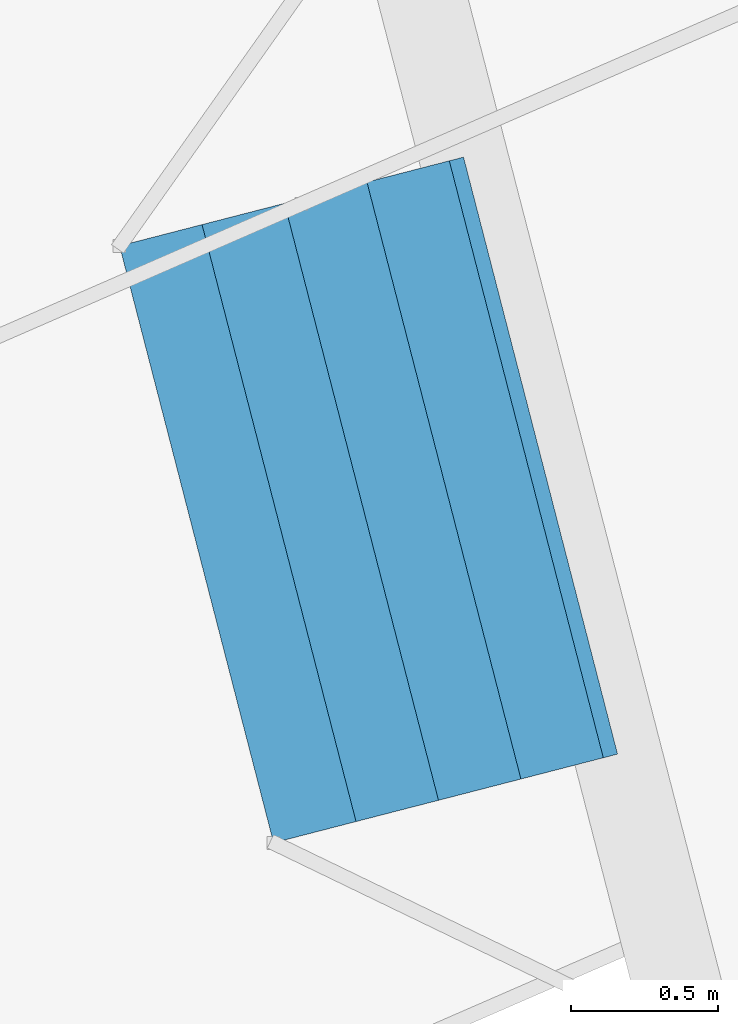
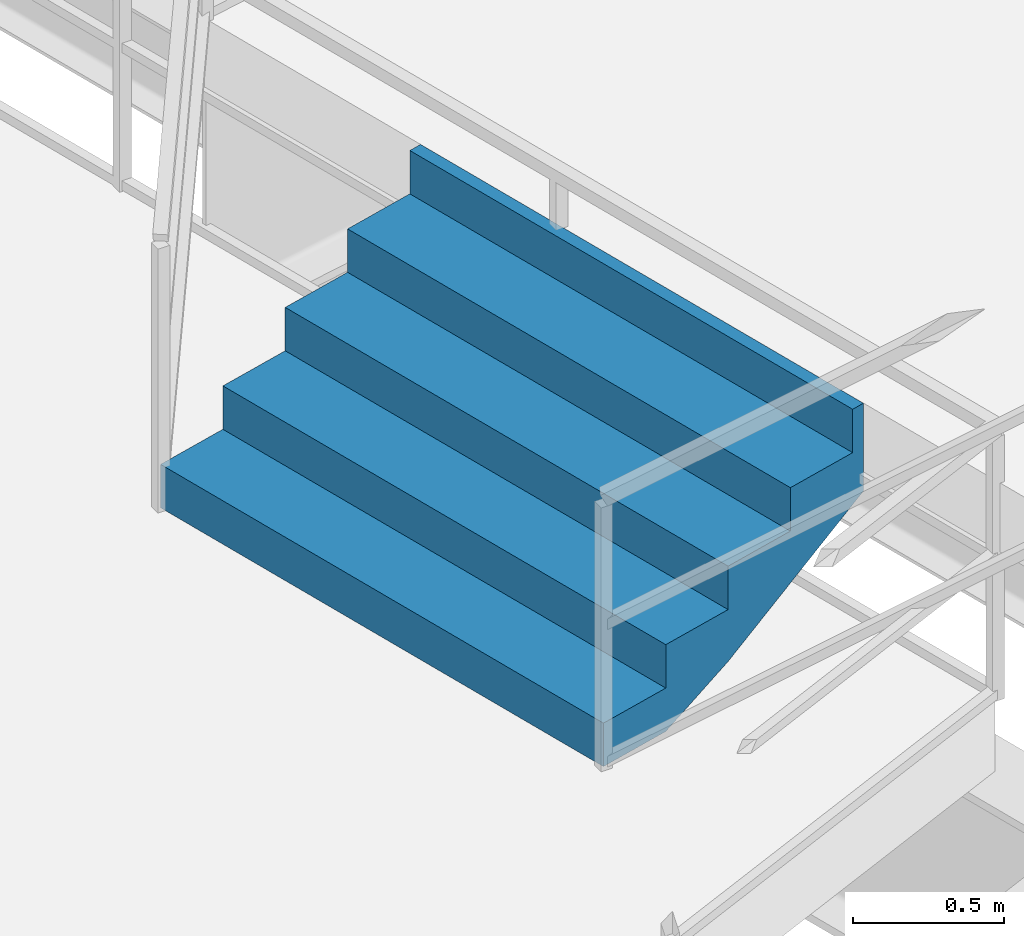
# One storey, part 145 of 186: 1 stair flight, 1 element without a shape of its own.
"""IFC4 building model written with IfcOpenShell, lengths in metres."""

from ifc_helpers import new_model, si_unit, direction, frame, origin, place, context, subcontext, project, spatial, polygons, material, type_object, element, aggregate, save


model = new_model("IFC4")

# Units and contexts
model_context = context("Model", 3, precision=1e-05, world=origin(), true_north=direction((0.0, 1.0)))
body_context = subcontext(model_context, "Body", "Model", "MODEL_VIEW")
ifc_project = project(units=[si_unit("LENGTHUNIT", "METRE"), si_unit("AREAUNIT", "SQUARE_METRE"), si_unit("VOLUMEUNIT", "CUBIC_METRE"), si_unit("PLANEANGLEUNIT", "RADIAN"), si_unit("MASSUNIT", "GRAM", prefix="KILO")], contexts=[model_context])

# Site, building, storey
site_placement = place(None, origin())
site = spatial("IfcSite", under=ifc_project, at=site_placement, CompositionType="ELEMENT")
building_placement = place(site_placement, origin())
building = spatial("IfcBuilding", under=site, at=building_placement, Name="Kazemori Nagisa Stadium", CompositionType="ELEMENT")
storey_placement = place(building_placement, frame((0.0, 0.0, 20.39990234375)))
storey = spatial("IfcBuildingStorey", under=building, at=storey_placement, Name="L04", CompositionType="ELEMENT", Elevation=20.39990234375)

# Stair, stair flight
ifc_material = material(Name="Concrete C36/45 (Fc36)", Category="concrete")
stair_type = type_object("IfcStairType", Name="Stair_VOM_VU", PredefinedType="STRAIGHT_RUN_STAIR", material=ifc_material)
stair_placement = place(storey_placement, origin())
stair = element("IfcStair", 1, at=stair_placement, inside=storey, type_object=stair_type, Name="Vomitory stair upper VU07", PredefinedType="STRAIGHT_RUN_STAIR")
stair_flight_type = type_object("IfcStairFlightType", Name="Flight_VOM_VU", PredefinedType="STRAIGHT", material=ifc_material)
stair_flight_placement = place(storey_placement, frame((51.485107421875, 73.481689453125, 0.0), z_axis=(0.0, 0.0, 1.0), x_axis=(0.968295389359, 0.249808004166, 0.0)))
stair_flight = element("IfcStairFlight", 2, at=stair_flight_placement, type_object=stair_flight_type, Name="Vomitory stair upper VU07 flight", NumberOfRisers=5, NumberOfTreads=4, PredefinedType="STRAIGHT", RiserHeight=0.176, TreadLength=0.29, context=body_context, shape_type="Tessellation", body=[
    polygons([(0.0, -1.050048828125, 0.0), (0.0, -1.050048828125, 0.176025390625), (0.2900390625, -1.050048828125, 0.176025390625), (0.2900390625, -1.050048828125, 0.35205078125), (0.580078125, -1.050048828125, 0.35205078125), (0.580078125, -1.050048828125, 0.528076171875), (0.8701171875, -1.050048828125, 0.528076171875), (0.8701171875, -1.050048828125, 0.7041015625), (1.159912109375, -1.050048828125, 0.7041015625), (1.159912109375, -1.050048828125, 0.8798828125), (1.2099609375, -1.050048828125, 0.8798828125), (1.2099609375, -1.050048828125, 0.52392578125), (1.159912109375, -1.050048828125, 0.493408203125), (0.8701171875, -1.050048828125, 0.317626953125), (0.580078125, -1.050048828125, 0.1416015625), (0.2900390625, -1.050048828125, 0.0), (0.0, -0.083984375, 0.0), (0.0, -0.083984375, 0.176025390625), (0.2900390625, -0.083984375, 0.176025390625), (0.2900390625, -0.083984375, 0.35205078125), (0.580078125, -0.083984375, 0.35205078125), (0.580078125, -0.083984375, 0.528076171875), (0.8701171875, -0.083984375, 0.528076171875), (0.8701171875, -0.083984375, 0.7041015625), (1.159912109375, -0.083984375, 0.7041015625), (1.159912109375, -0.083984375, 0.8798828125), (1.2099609375, -0.083984375, 0.8798828125), (1.2099609375, -0.083984375, 0.52392578125), (1.159912109375, -0.083984375, 0.493408203125), (0.8701171875, -0.083984375, 0.317626953125), (0.580078125, -0.083984375, 0.1416015625), (0.2900390625, -0.083984375, 0.0), (0.0, -0.06298828125, 0.0), (0.0, -0.06298828125, 0.176025390625), (0.2900390625, -0.06298828125, 0.176025390625), (0.2900390625, -0.06298828125, 0.35205078125), (0.580078125, -0.06298828125, 0.35205078125), (0.580078125, -0.06298828125, 0.528076171875), (0.8701171875, -0.06298828125, 0.528076171875), (0.8701171875, -0.06298828125, 0.7041015625), (1.159912109375, -0.06298828125, 0.7041015625), (1.159912109375, -0.06298828125, 0.8798828125), (1.2099609375, -0.06298828125, 0.8798828125), (1.2099609375, -0.06298828125, 0.52392578125), (1.159912109375, -0.06298828125, 0.493408203125), (0.8701171875, -0.06298828125, 0.317626953125), (0.580078125, -0.06298828125, 0.1416015625), (0.2900390625, -0.06298828125, 0.0), (0.0, -0.0419921875, 0.0), (0.0, -0.0419921875, 0.176025390625), (0.2900390625, -0.0419921875, 0.176025390625), (0.2900390625, -0.0419921875, 0.35205078125), (0.580078125, -0.0419921875, 0.35205078125), (0.580078125, -0.0419921875, 0.528076171875), (0.8701171875, -0.0419921875, 0.528076171875), (0.8701171875, -0.0419921875, 0.7041015625), (1.159912109375, -0.0419921875, 0.7041015625), (1.159912109375, -0.0419921875, 0.8798828125), (1.2099609375, -0.0419921875, 0.8798828125), (1.2099609375, -0.0419921875, 0.52392578125), (1.159912109375, -0.0419921875, 0.493408203125), (0.8701171875, -0.0419921875, 0.317626953125), (0.580078125, -0.0419921875, 0.1416015625), (0.2900390625, -0.0419921875, 0.0), (0.0, -0.02099609375, 0.0), (0.0, -0.02099609375, 0.176025390625), (0.2900390625, -0.02099609375, 0.176025390625), (0.2900390625, -0.02099609375, 0.35205078125), (0.580078125, -0.02099609375, 0.35205078125), (0.580078125, -0.02099609375, 0.528076171875), (0.8701171875, -0.02099609375, 0.528076171875), (0.8701171875, -0.02099609375, 0.7041015625), (1.159912109375, -0.02099609375, 0.7041015625), (1.159912109375, -0.02099609375, 0.8798828125), (1.2099609375, -0.02099609375, 0.8798828125), (1.2099609375, -0.02099609375, 0.52392578125), (1.159912109375, -0.02099609375, 0.493408203125), (0.8701171875, -0.02099609375, 0.317626953125), (0.580078125, -0.02099609375, 0.1416015625), (0.2900390625, -0.02099609375, 0.0), (0.0, 0.0, 0.0), (0.0, 0.0, 0.176025390625), (0.2900390625, 0.0, 0.176025390625), (0.2900390625, 0.0, 0.35205078125), (0.580078125, 0.0, 0.35205078125), (0.580078125, 0.0, 0.528076171875), (0.8701171875, 0.0, 0.528076171875), (0.8701171875, 0.0, 0.7041015625), (1.159912109375, 0.0, 0.7041015625), (1.159912109375, 0.0, 0.8798828125), (1.2099609375, 0.0, 0.8798828125), (1.2099609375, 0.0, 0.52392578125), (1.159912109375, 0.0, 0.493408203125), (0.8701171875, 0.0, 0.317626953125), (0.580078125, 0.0, 0.1416015625), (0.2900390625, 0.0, 0.0), (0.0, 0.02099609375, 0.0), (0.0, 0.02099609375, 0.176025390625), (0.2900390625, 0.02099609375, 0.176025390625), (0.2900390625, 0.02099609375, 0.35205078125), (0.580078125, 0.02099609375, 0.35205078125), (0.580078125, 0.02099609375, 0.528076171875), (0.8701171875, 0.02099609375, 0.528076171875), (0.8701171875, 0.02099609375, 0.7041015625), (1.159912109375, 0.02099609375, 0.7041015625), (1.159912109375, 0.02099609375, 0.8798828125), (1.2099609375, 0.02099609375, 0.8798828125), (1.2099609375, 0.02099609375, 0.52392578125), (1.159912109375, 0.02099609375, 0.493408203125), (0.8701171875, 0.02099609375, 0.317626953125), (0.580078125, 0.02099609375, 0.1416015625), (0.2900390625, 0.02099609375, 0.0), (0.0, 0.0419921875, 0.0), (0.0, 0.0419921875, 0.176025390625), (0.2900390625, 0.0419921875, 0.176025390625), (0.2900390625, 0.0419921875, 0.35205078125), (0.580078125, 0.0419921875, 0.35205078125), (0.580078125, 0.0419921875, 0.528076171875), (0.8701171875, 0.0419921875, 0.528076171875), (0.8701171875, 0.0419921875, 0.7041015625), (1.159912109375, 0.0419921875, 0.7041015625), (1.159912109375, 0.0419921875, 0.8798828125), (1.2099609375, 0.0419921875, 0.8798828125), (1.2099609375, 0.0419921875, 0.52392578125), (1.159912109375, 0.0419921875, 0.493408203125), (0.8701171875, 0.0419921875, 0.317626953125), (0.580078125, 0.0419921875, 0.1416015625), (0.2900390625, 0.0419921875, 0.0), (0.0, 0.06298828125, 0.0), (0.0, 0.06298828125, 0.176025390625), (0.2900390625, 0.06298828125, 0.176025390625), (0.2900390625, 0.06298828125, 0.35205078125), (0.580078125, 0.06298828125, 0.35205078125), (0.580078125, 0.06298828125, 0.528076171875), (0.8701171875, 0.06298828125, 0.528076171875), (0.8701171875, 0.06298828125, 0.7041015625), (1.159912109375, 0.06298828125, 0.7041015625), (1.159912109375, 0.06298828125, 0.8798828125), (1.2099609375, 0.06298828125, 0.8798828125), (1.2099609375, 0.06298828125, 0.52392578125), (1.159912109375, 0.06298828125, 0.493408203125), (0.8701171875, 0.06298828125, 0.317626953125), (0.580078125, 0.06298828125, 0.1416015625), (0.2900390625, 0.06298828125, 0.0), (0.0, 0.083984375, 0.0), (0.0, 0.083984375, 0.176025390625), (0.2900390625, 0.083984375, 0.176025390625), (0.2900390625, 0.083984375, 0.35205078125), (0.580078125, 0.083984375, 0.35205078125), (0.580078125, 0.083984375, 0.528076171875), (0.8701171875, 0.083984375, 0.528076171875), (0.8701171875, 0.083984375, 0.7041015625), (1.159912109375, 0.083984375, 0.7041015625), (1.159912109375, 0.083984375, 0.8798828125), (1.2099609375, 0.083984375, 0.8798828125), (1.2099609375, 0.083984375, 0.52392578125), (1.159912109375, 0.083984375, 0.493408203125), (0.8701171875, 0.083984375, 0.317626953125), (0.580078125, 0.083984375, 0.1416015625), (0.2900390625, 0.083984375, 0.0), (0.0, 1.050048828125, 0.0), (0.0, 1.050048828125, 0.176025390625), (0.2900390625, 1.050048828125, 0.176025390625), (0.2900390625, 1.050048828125, 0.35205078125), (0.580078125, 1.050048828125, 0.35205078125), (0.580078125, 1.050048828125, 0.528076171875), (0.8701171875, 1.050048828125, 0.528076171875), (0.8701171875, 1.050048828125, 0.7041015625), (1.159912109375, 1.050048828125, 0.7041015625), (1.159912109375, 1.050048828125, 0.8798828125), (1.2099609375, 1.050048828125, 0.8798828125), (1.2099609375, 1.050048828125, 0.52392578125), (1.159912109375, 1.050048828125, 0.493408203125), (0.8701171875, 1.050048828125, 0.317626953125), (0.580078125, 1.050048828125, 0.1416015625), (0.2900390625, 1.050048828125, 0.0)], [[[1, 2, 18]], [[1, 18, 17]], [[2, 3, 19]], [[2, 19, 18]], [[3, 4, 20]], [[3, 20, 19]], [[4, 5, 21]], [[4, 21, 20]], [[5, 6, 22]], [[5, 22, 21]], [[6, 7, 23]], [[6, 23, 22]], [[7, 8, 24]], [[7, 24, 23]], [[8, 9, 25]], [[8, 25, 24]], [[9, 10, 26]], [[9, 26, 25]], [[10, 11, 27]], [[10, 27, 26]], [[11, 12, 28]], [[11, 28, 27]], [[12, 13, 29]], [[12, 29, 28]], [[13, 14, 30]], [[13, 30, 29]], [[14, 15, 31]], [[14, 31, 30]], [[15, 16, 32]], [[15, 32, 31]], [[16, 1, 17]], [[16, 17, 32]], [[17, 18, 34]], [[17, 34, 33]], [[18, 19, 35]], [[18, 35, 34]], [[19, 20, 36]], [[19, 36, 35]], [[20, 21, 37]], [[20, 37, 36]], [[21, 22, 38]], [[21, 38, 37]], [[22, 23, 39]], [[22, 39, 38]], [[23, 24, 40]], [[23, 40, 39]], [[24, 25, 41]], [[24, 41, 40]], [[25, 26, 42]], [[25, 42, 41]], [[26, 27, 43]], [[26, 43, 42]], [[27, 28, 44]], [[27, 44, 43]], [[28, 29, 45]], [[28, 45, 44]], [[29, 30, 46]], [[29, 46, 45]], [[30, 31, 47]], [[30, 47, 46]], [[31, 32, 48]], [[31, 48, 47]], [[32, 17, 33]], [[32, 33, 48]], [[33, 34, 50]], [[33, 50, 49]], [[34, 35, 51]], [[34, 51, 50]], [[35, 36, 52]], [[35, 52, 51]], [[36, 37, 53]], [[36, 53, 52]], [[37, 38, 54]], [[37, 54, 53]], [[38, 39, 55]], [[38, 55, 54]], [[39, 40, 56]], [[39, 56, 55]], [[40, 41, 57]], [[40, 57, 56]], [[41, 42, 58]], [[41, 58, 57]], [[42, 43, 59]], [[42, 59, 58]], [[43, 44, 60]], [[43, 60, 59]], [[44, 45, 61]], [[44, 61, 60]], [[45, 46, 62]], [[45, 62, 61]], [[46, 47, 63]], [[46, 63, 62]], [[47, 48, 64]], [[47, 64, 63]], [[48, 33, 49]], [[48, 49, 64]], [[49, 50, 66]], [[49, 66, 65]], [[50, 51, 67]], [[50, 67, 66]], [[51, 52, 68]], [[51, 68, 67]], [[52, 53, 69]], [[52, 69, 68]], [[53, 54, 70]], [[53, 70, 69]], [[54, 55, 71]], [[54, 71, 70]], [[55, 56, 72]], [[55, 72, 71]], [[56, 57, 73]], [[56, 73, 72]], [[57, 58, 74]], [[57, 74, 73]], [[58, 59, 75]], [[58, 75, 74]], [[59, 60, 76]], [[59, 76, 75]], [[60, 61, 77]], [[60, 77, 76]], [[61, 62, 78]], [[61, 78, 77]], [[62, 63, 79]], [[62, 79, 78]], [[63, 64, 80]], [[63, 80, 79]], [[64, 49, 65]], [[64, 65, 80]], [[65, 66, 82]], [[65, 82, 81]], [[66, 67, 83]], [[66, 83, 82]], [[67, 68, 84]], [[67, 84, 83]], [[68, 69, 85]], [[68, 85, 84]], [[69, 70, 86]], [[69, 86, 85]], [[70, 71, 87]], [[70, 87, 86]], [[71, 72, 88]], [[71, 88, 87]], [[72, 73, 89]], [[72, 89, 88]], [[73, 74, 90]], [[73, 90, 89]], [[74, 75, 91]], [[74, 91, 90]], [[75, 76, 92]], [[75, 92, 91]], [[76, 77, 93]], [[76, 93, 92]], [[77, 78, 94]], [[77, 94, 93]], [[78, 79, 95]], [[78, 95, 94]], [[79, 80, 96]], [[79, 96, 95]], [[80, 65, 81]], [[80, 81, 96]], [[81, 82, 98]], [[81, 98, 97]], [[82, 83, 99]], [[82, 99, 98]], [[83, 84, 100]], [[83, 100, 99]], [[84, 85, 101]], [[84, 101, 100]], [[85, 86, 102]], [[85, 102, 101]], [[86, 87, 103]], [[86, 103, 102]], [[87, 88, 104]], [[87, 104, 103]], [[88, 89, 105]], [[88, 105, 104]], [[89, 90, 106]], [[89, 106, 105]], [[90, 91, 107]], [[90, 107, 106]], [[91, 92, 108]], [[91, 108, 107]], [[92, 93, 109]], [[92, 109, 108]], [[93, 94, 110]], [[93, 110, 109]], [[94, 95, 111]], [[94, 111, 110]], [[95, 96, 112]], [[95, 112, 111]], [[96, 81, 97]], [[96, 97, 112]], [[97, 98, 114]], [[97, 114, 113]], [[98, 99, 115]], [[98, 115, 114]], [[99, 100, 116]], [[99, 116, 115]], [[100, 101, 117]], [[100, 117, 116]], [[101, 102, 118]], [[101, 118, 117]], [[102, 103, 119]], [[102, 119, 118]], [[103, 104, 120]], [[103, 120, 119]], [[104, 105, 121]], [[104, 121, 120]], [[105, 106, 122]], [[105, 122, 121]], [[106, 107, 123]], [[106, 123, 122]], [[107, 108, 124]], [[107, 124, 123]], [[108, 109, 125]], [[108, 125, 124]], [[109, 110, 126]], [[109, 126, 125]], [[110, 111, 127]], [[110, 127, 126]], [[111, 112, 128]], [[111, 128, 127]], [[112, 97, 113]], [[112, 113, 128]], [[113, 114, 130]], [[113, 130, 129]], [[114, 115, 131]], [[114, 131, 130]], [[115, 116, 132]], [[115, 132, 131]], [[116, 117, 133]], [[116, 133, 132]], [[117, 118, 134]], [[117, 134, 133]], [[118, 119, 135]], [[118, 135, 134]], [[119, 120, 136]], [[119, 136, 135]], [[120, 121, 137]], [[120, 137, 136]], [[121, 122, 138]], [[121, 138, 137]], [[122, 123, 139]], [[122, 139, 138]], [[123, 124, 140]], [[123, 140, 139]], [[124, 125, 141]], [[124, 141, 140]], [[125, 126, 142]], [[125, 142, 141]], [[126, 127, 143]], [[126, 143, 142]], [[127, 128, 144]], [[127, 144, 143]], [[128, 113, 129]], [[128, 129, 144]], [[129, 130, 146]], [[129, 146, 145]], [[130, 131, 147]], [[130, 147, 146]], [[131, 132, 148]], [[131, 148, 147]], [[132, 133, 149]], [[132, 149, 148]], [[133, 134, 150]], [[133, 150, 149]], [[134, 135, 151]], [[134, 151, 150]], [[135, 136, 152]], [[135, 152, 151]], [[136, 137, 153]], [[136, 153, 152]], [[137, 138, 154]], [[137, 154, 153]], [[138, 139, 155]], [[138, 155, 154]], [[139, 140, 156]], [[139, 156, 155]], [[140, 141, 157]], [[140, 157, 156]], [[141, 142, 158]], [[141, 158, 157]], [[142, 143, 159]], [[142, 159, 158]], [[143, 144, 160]], [[143, 160, 159]], [[144, 129, 145]], [[144, 145, 160]], [[145, 146, 162]], [[145, 162, 161]], [[146, 147, 163]], [[146, 163, 162]], [[147, 148, 164]], [[147, 164, 163]], [[148, 149, 165]], [[148, 165, 164]], [[149, 150, 166]], [[149, 166, 165]], [[150, 151, 167]], [[150, 167, 166]], [[151, 152, 168]], [[151, 168, 167]], [[152, 153, 169]], [[152, 169, 168]], [[153, 154, 170]], [[153, 170, 169]], [[154, 155, 171]], [[154, 171, 170]], [[155, 156, 172]], [[155, 172, 171]], [[156, 157, 173]], [[156, 173, 172]], [[157, 158, 174]], [[157, 174, 173]], [[158, 159, 175]], [[158, 175, 174]], [[159, 160, 176]], [[159, 176, 175]], [[160, 145, 161]], [[160, 161, 176]], [[3, 2, 1]], [[161, 162, 163]], [[16, 3, 1]], [[161, 163, 176]], [[15, 3, 16]], [[176, 163, 175]], [[5, 3, 15]], [[175, 163, 165]], [[5, 4, 3]], [[163, 164, 165]], [[14, 5, 15]], [[175, 165, 174]], [[7, 5, 14]], [[174, 165, 167]], [[7, 6, 5]], [[165, 166, 167]], [[13, 7, 14]], [[174, 167, 173]], [[9, 7, 13]], [[173, 167, 169]], [[9, 8, 7]], [[167, 168, 169]], [[12, 9, 13]], [[173, 169, 172]], [[11, 9, 12]], [[172, 169, 171]], [[11, 10, 9]], [[169, 170, 171]]], closed=True),
])
aggregate(stair, [stair_flight])

save(model, "model.ifc")
